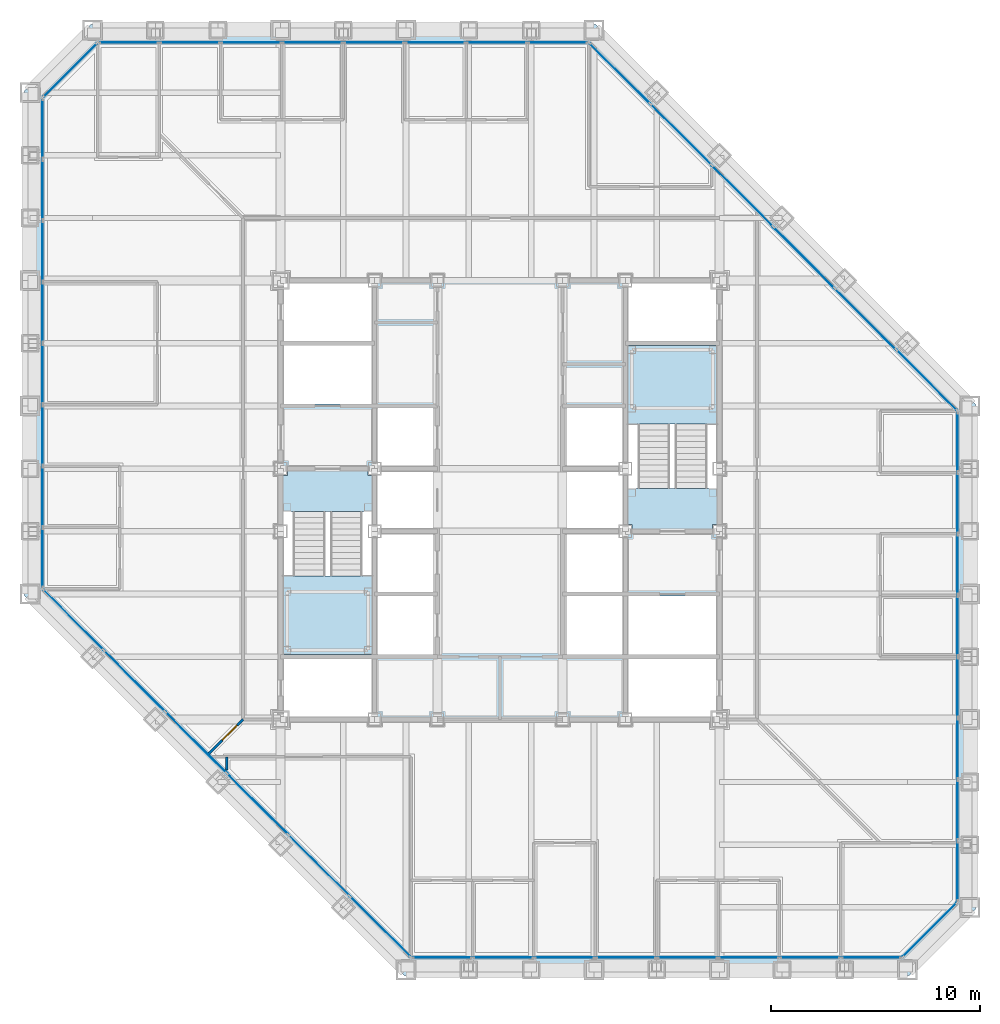
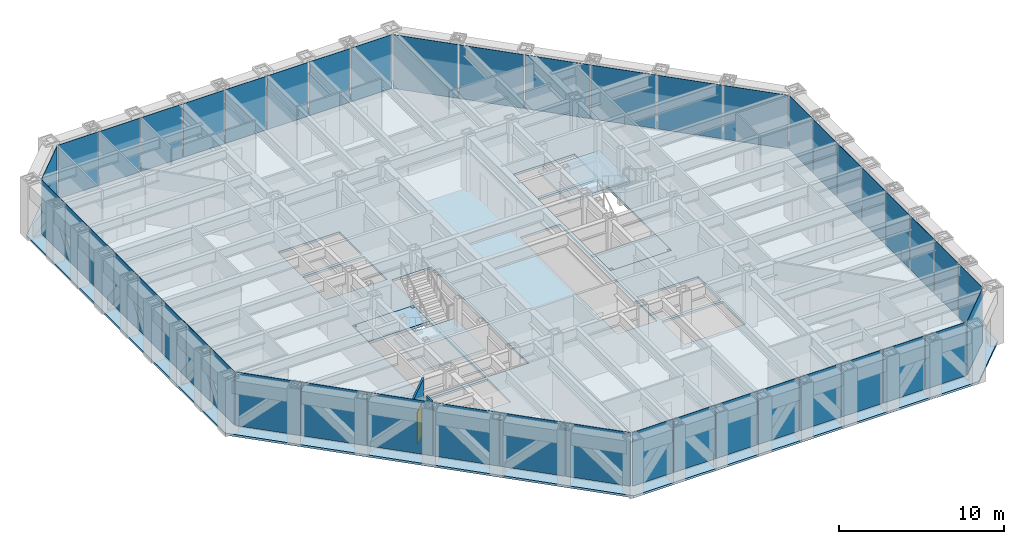
# One storey, part 9 of 17: 46 plates, 5 slabs, 2 walls, 1 door, 1 opening, 10 elements without a shape of their own.
"""IFC4 building model written with IfcOpenShell, lengths in metres."""

from ifc_helpers import new_model, si_unit, direction, frame, frame_2d, origin, origin_2d, place, context, subcontext, project, spatial, polyline, rectangle, outline, extrude, material, layer, layer_set, type_object, element, fill, aggregate, save


model = new_model("IFC4")

# Units and contexts
model_context = context("Model", 3, precision=1e-05, world=origin(), true_north=direction((0.0, 1.0)))
body_context = subcontext(model_context, "Body", "Model", "MODEL_VIEW")
ifc_project = project(units=[si_unit("LENGTHUNIT", "METRE"), si_unit("AREAUNIT", "SQUARE_METRE"), si_unit("VOLUMEUNIT", "CUBIC_METRE"), si_unit("PLANEANGLEUNIT", "RADIAN"), si_unit("MASSUNIT", "GRAM", prefix="KILO")], contexts=[model_context])

# Site, building, storey
site_placement = place(None, origin())
site = spatial("IfcSite", under=ifc_project, at=site_placement, CompositionType="ELEMENT")
building_placement = place(site_placement, origin())
building = spatial("IfcBuilding", under=site, at=building_placement, Name="Chuquiago Exchange Tower", CompositionType="ELEMENT")
storey_placement = place(building_placement, frame((0.0, 0.0, 169.800048828125)))
storey = spatial("IfcBuildingStorey", under=building, at=storey_placement, Name="L37", CompositionType="ELEMENT", Elevation=169.800048828125)

# Curtain wall, plate
ifc_material_1 = material(Name="Aluminium curtain wall system", Category="aluminium")
ifc_layer_1 = layer(ifc_material_1, 0.22509765625)
ifc_layer_set_1 = layer_set([ifc_layer_1], Name="CW2 office curtain wall")
curtain_wall_type_1 = type_object("IfcCurtainWallType", Name="CW2 office curtain wall", PredefinedType="NOTDEFINED", material=ifc_layer_set_1)
curtain_wall_1_placement = place(storey_placement, origin())
curtain_wall_1 = element("IfcCurtainWall", 1, at=curtain_wall_1_placement, inside=storey, type_object=curtain_wall_type_1, Name="CW2 curtain wall L37", PredefinedType="NOTDEFINED")
ifc_material_2 = material(Name="Glass, insulating unit", Category="glass")
ifc_layer_2 = layer(ifc_material_2, 0.030029296875)
ifc_layer_set_2 = layer_set([ifc_layer_2], Name="CW2-P panel 30")
plate_type_1 = type_object("IfcPlateType", Name="CW2-P panel 30", PredefinedType="CURTAIN_PANEL", material=ifc_layer_set_2)
plate_1_placement = place(storey_placement, frame((25.59326171875, 0.60009765625, 0.06494140625), z_axis=(0.0, 0.0, 1.0), x_axis=(1.0, 0.0, 0.0)))
plate_1 = element("IfcPlate", 2, at=plate_1_placement, type_object=plate_type_1, Name="CW2 panel 3.1", PredefinedType="CURTAIN_PANEL", context=body_context, shape_type="SweptSolid", body=[
    extrude(rectangle(XDim=2.872802734375, YDim=0.030029296875, at=origin_2d()), origin(), (0.0, 0.0, 1.0), 3.97509765625),
])

curtain_wall_2_placement = place(storey_placement, origin())
curtain_wall_2 = element("IfcCurtainWall", 3, at=curtain_wall_2_placement, inside=storey, type_object=curtain_wall_type_1, Name="CW2 curtain wall L37", PredefinedType="NOTDEFINED")
plate_2_placement = place(storey_placement, frame((44.39990234375, 19.40673828125, 0.06494140625), z_axis=(0.0, 0.0, 1.0), x_axis=(0.0, 1.0, 0.0)))
plate_2 = element("IfcPlate", 4, at=plate_2_placement, type_object=plate_type_1, Name="CW2 panel 6.1", PredefinedType="CURTAIN_PANEL", context=body_context, shape_type="SweptSolid", body=[
    extrude(rectangle(XDim=2.872802734375, YDim=0.030029296875, at=origin_2d()), origin(), (0.0, 0.0, 1.0), 3.97509765625),
])

curtain_wall_3_placement = place(storey_placement, origin())
curtain_wall_3 = element("IfcCurtainWall", 5, at=curtain_wall_3_placement, inside=storey, type_object=curtain_wall_type_1, Name="CW2 curtain wall L37", PredefinedType="NOTDEFINED")
plate_3_placement = place(storey_placement, frame((19.40673828125, 44.39990234375, 0.06494140625), z_axis=(0.0, 0.0, 1.0), x_axis=(-1.0, 0.0, 0.0)))
plate_3 = element("IfcPlate", 6, at=plate_3_placement, type_object=plate_type_1, Name="CW2 panel 3.1", PredefinedType="CURTAIN_PANEL", context=body_context, shape_type="SweptSolid", body=[
    extrude(rectangle(XDim=2.872802734375, YDim=0.030029296875, at=origin_2d()), origin(), (0.0, 0.0, 1.0), 3.97509765625),
])

curtain_wall_4_placement = place(storey_placement, origin())
curtain_wall_4 = element("IfcCurtainWall", 7, at=curtain_wall_4_placement, inside=storey, type_object=curtain_wall_type_1, Name="CW2 curtain wall L37", PredefinedType="NOTDEFINED")
plate_4_placement = place(storey_placement, frame((0.60009765625, 25.59326171875, 0.06494140625), z_axis=(0.0, 0.0, 1.0), x_axis=(0.0, -1.0, 0.0)))
plate_4 = element("IfcPlate", 8, at=plate_4_placement, type_object=plate_type_1, Name="CW2 panel 6.1", PredefinedType="CURTAIN_PANEL", context=body_context, shape_type="SweptSolid", body=[
    extrude(rectangle(XDim=2.872802734375, YDim=0.030029296875, at=origin_2d()), origin(), (0.0, 0.0, 1.0), 3.97509765625),
])

# Plate
ifc_material_3 = material(Name="Insulated spandrel panel, pale anodised aluminium", Category="aluminium")
ifc_layer_3 = layer(ifc_material_3, 0.030029296875)
ifc_layer_set_3 = layer_set([ifc_layer_3], Name="CW2-P spandrel panel 30")
plate_type_2 = type_object("IfcPlateType", Name="CW2-P spandrel panel 30", PredefinedType="CURTAIN_PANEL", material=ifc_layer_set_3)
plate_5_placement = place(storey_placement, frame((19.733642578125, 0.60009765625, 0.06494140625), z_axis=(0.0, 0.0, 1.0), x_axis=(1.0, 0.0, 0.0)))
plate_5 = element("IfcPlate", 9, at=plate_5_placement, type_object=plate_type_2, Name="CW2 panel 1.1", PredefinedType="CURTAIN_PANEL", context=body_context, shape_type="SweptSolid", body=[
    extrude(rectangle(XDim=2.84033203125, YDim=0.030029296875, at=origin_2d()), origin(), (0.0, 0.0, 1.0), 3.97509765625),
])

plate_6_placement = place(storey_placement, frame((22.6552734375, 0.60009765625, 0.06494140625), z_axis=(0.0, 0.0, 1.0), x_axis=(1.0, 0.0, 0.0)))
plate_6 = element("IfcPlate", 10, at=plate_6_placement, type_object=plate_type_2, Name="CW2 panel 2.1", PredefinedType="CURTAIN_PANEL", context=body_context, shape_type="SweptSolid", body=[
    extrude(rectangle(XDim=2.872802734375, YDim=0.030029296875, at=origin_2d()), origin(), (0.0, 0.0, 1.0), 3.97509765625),
])

plate_7_placement = place(storey_placement, frame((28.531005859375, 0.60009765625, 0.06494140625), z_axis=(0.0, 0.0, 1.0), x_axis=(1.0, 0.0, 0.0)))
plate_7 = element("IfcPlate", 11, at=plate_7_placement, type_object=plate_type_2, Name="CW2 panel 4.1", PredefinedType="CURTAIN_PANEL", context=body_context, shape_type="SweptSolid", body=[
    extrude(rectangle(XDim=2.872802734375, YDim=0.030029296875, at=origin_2d()), origin(), (0.0, 0.0, 1.0), 3.97509765625),
])

plate_8_placement = place(storey_placement, frame((31.468994140625, 0.60009765625, 0.06494140625), z_axis=(0.0, 0.0, 1.0), x_axis=(1.0, 0.0, 0.0)))
plate_8 = element("IfcPlate", 12, at=plate_8_placement, type_object=plate_type_2, Name="CW2 panel 5.1", PredefinedType="CURTAIN_PANEL", context=body_context, shape_type="SweptSolid", body=[
    extrude(rectangle(XDim=2.872802734375, YDim=0.030029296875, at=origin_2d()), origin(), (0.0, 0.0, 1.0), 3.97509765625),
])

plate_9_placement = place(storey_placement, frame((34.40673828125, 0.60009765625, 0.06494140625), z_axis=(0.0, 0.0, 1.0), x_axis=(1.0, 0.0, 0.0)))
plate_9 = element("IfcPlate", 13, at=plate_9_placement, type_object=plate_type_2, Name="CW2 panel 6.1", PredefinedType="CURTAIN_PANEL", context=body_context, shape_type="SweptSolid", body=[
    extrude(rectangle(XDim=2.872802734375, YDim=0.030029296875, at=origin_2d()), origin(), (0.0, 0.0, 1.0), 3.97509765625),
])

plate_10_placement = place(storey_placement, frame((37.3447265625, 0.60009765625, 0.06494140625), z_axis=(0.0, 0.0, 1.0), x_axis=(1.0, 0.0, 0.0)))
plate_10 = element("IfcPlate", 14, at=plate_10_placement, type_object=plate_type_2, Name="CW2 panel 7.1", PredefinedType="CURTAIN_PANEL", context=body_context, shape_type="SweptSolid", body=[
    extrude(rectangle(XDim=2.872802734375, YDim=0.030029296875, at=origin_2d()), origin(), (0.0, 0.0, 1.0), 3.97509765625),
])

plate_11_placement = place(storey_placement, frame((40.266357421875, 0.60009765625, 0.06494140625), z_axis=(0.0, 0.0, 1.0), x_axis=(1.0, 0.0, 0.0)))
plate_11 = element("IfcPlate", 15, at=plate_11_placement, type_object=plate_type_2, Name="CW2 panel 8.1", PredefinedType="CURTAIN_PANEL", context=body_context, shape_type="SweptSolid", body=[
    extrude(rectangle(XDim=2.84033203125, YDim=0.030029296875, at=origin_2d()), origin(), (0.0, 0.0, 1.0), 3.97509765625),
])

aggregate(curtain_wall_1, [plate_5, plate_6, plate_1, plate_7, plate_8, plate_9, plate_10, plate_11])

plate_12_placement = place(storey_placement, frame((44.39990234375, 4.733642578125, 0.06494140625), z_axis=(0.0, 0.0, 1.0), x_axis=(0.0, 1.0, 0.0)))
plate_12 = element("IfcPlate", 16, at=plate_12_placement, type_object=plate_type_2, Name="CW2 panel 1.1", PredefinedType="CURTAIN_PANEL", context=body_context, shape_type="SweptSolid", body=[
    extrude(rectangle(XDim=2.84033203125, YDim=0.030029296875, at=origin_2d()), origin(), (0.0, 0.0, 1.0), 3.97509765625),
])

plate_13_placement = place(storey_placement, frame((44.39990234375, 7.6552734375, 0.06494140625), z_axis=(0.0, 0.0, 1.0), x_axis=(0.0, 1.0, 0.0)))
plate_13 = element("IfcPlate", 17, at=plate_13_placement, type_object=plate_type_2, Name="CW2 panel 2.1", PredefinedType="CURTAIN_PANEL", context=body_context, shape_type="SweptSolid", body=[
    extrude(rectangle(XDim=2.872802734375, YDim=0.030029296875, at=origin_2d()), origin(), (0.0, 0.0, 1.0), 3.97509765625),
])

plate_14_placement = place(storey_placement, frame((44.39990234375, 10.59326171875, 0.06494140625), z_axis=(0.0, 0.0, 1.0), x_axis=(0.0, 1.0, 0.0)))
plate_14 = element("IfcPlate", 18, at=plate_14_placement, type_object=plate_type_2, Name="CW2 panel 3.1", PredefinedType="CURTAIN_PANEL", context=body_context, shape_type="SweptSolid", body=[
    extrude(rectangle(XDim=2.872802734375, YDim=0.030029296875, at=origin_2d()), origin(), (0.0, 0.0, 1.0), 3.97509765625),
])

plate_15_placement = place(storey_placement, frame((44.39990234375, 13.531005859375, 0.06494140625), z_axis=(0.0, 0.0, 1.0), x_axis=(0.0, 1.0, 0.0)))
plate_15 = element("IfcPlate", 19, at=plate_15_placement, type_object=plate_type_2, Name="CW2 panel 4.1", PredefinedType="CURTAIN_PANEL", context=body_context, shape_type="SweptSolid", body=[
    extrude(rectangle(XDim=2.872802734375, YDim=0.030029296875, at=origin_2d()), origin(), (0.0, 0.0, 1.0), 3.97509765625),
])

plate_16_placement = place(storey_placement, frame((44.39990234375, 16.468994140625, 0.06494140625), z_axis=(0.0, 0.0, 1.0), x_axis=(0.0, 1.0, 0.0)))
plate_16 = element("IfcPlate", 20, at=plate_16_placement, type_object=plate_type_2, Name="CW2 panel 5.1", PredefinedType="CURTAIN_PANEL", context=body_context, shape_type="SweptSolid", body=[
    extrude(rectangle(XDim=2.872802734375, YDim=0.030029296875, at=origin_2d()), origin(), (0.0, 0.0, 1.0), 3.97509765625),
])

plate_17_placement = place(storey_placement, frame((44.39990234375, 22.3447265625, 0.06494140625), z_axis=(0.0, 0.0, 1.0), x_axis=(0.0, 1.0, 0.0)))
plate_17 = element("IfcPlate", 21, at=plate_17_placement, type_object=plate_type_2, Name="CW2 panel 7.1", PredefinedType="CURTAIN_PANEL", context=body_context, shape_type="SweptSolid", body=[
    extrude(rectangle(XDim=2.872802734375, YDim=0.030029296875, at=origin_2d()), origin(), (0.0, 0.0, 1.0), 3.97509765625),
])

plate_18_placement = place(storey_placement, frame((44.39990234375, 25.266357421875, 0.06494140625), z_axis=(0.0, 0.0, 1.0), x_axis=(0.0, 1.0, 0.0)))
plate_18 = element("IfcPlate", 22, at=plate_18_placement, type_object=plate_type_2, Name="CW2 panel 8.1", PredefinedType="CURTAIN_PANEL", context=body_context, shape_type="SweptSolid", body=[
    extrude(rectangle(XDim=2.84033203125, YDim=0.030029296875, at=origin_2d()), origin(), (0.0, 0.0, 1.0), 3.97509765625),
])

aggregate(curtain_wall_2, [plate_12, plate_13, plate_14, plate_15, plate_16, plate_2, plate_17, plate_18])

plate_19_placement = place(storey_placement, frame((25.266357421875, 44.39990234375, 0.06494140625), z_axis=(0.0, 0.0, 1.0), x_axis=(-1.0, 0.0, 0.0)))
plate_19 = element("IfcPlate", 23, at=plate_19_placement, type_object=plate_type_2, Name="CW2 panel 1.1", PredefinedType="CURTAIN_PANEL", context=body_context, shape_type="SweptSolid", body=[
    extrude(rectangle(XDim=2.84033203125, YDim=0.030029296875, at=origin_2d()), origin(), (0.0, 0.0, 1.0), 3.97509765625),
])

plate_20_placement = place(storey_placement, frame((22.3447265625, 44.39990234375, 0.06494140625), z_axis=(0.0, 0.0, 1.0), x_axis=(-1.0, 0.0, 0.0)))
plate_20 = element("IfcPlate", 24, at=plate_20_placement, type_object=plate_type_2, Name="CW2 panel 2.1", PredefinedType="CURTAIN_PANEL", context=body_context, shape_type="SweptSolid", body=[
    extrude(rectangle(XDim=2.872802734375, YDim=0.030029296875, at=origin_2d()), origin(), (0.0, 0.0, 1.0), 3.97509765625),
])

plate_21_placement = place(storey_placement, frame((16.468994140625, 44.39990234375, 0.06494140625), z_axis=(0.0, 0.0, 1.0), x_axis=(-1.0, 0.0, 0.0)))
plate_21 = element("IfcPlate", 25, at=plate_21_placement, type_object=plate_type_2, Name="CW2 panel 4.1", PredefinedType="CURTAIN_PANEL", context=body_context, shape_type="SweptSolid", body=[
    extrude(rectangle(XDim=2.872802734375, YDim=0.030029296875, at=origin_2d()), origin(), (0.0, 0.0, 1.0), 3.97509765625),
])

plate_22_placement = place(storey_placement, frame((13.531005859375, 44.39990234375, 0.06494140625), z_axis=(0.0, 0.0, 1.0), x_axis=(-1.0, 0.0, 0.0)))
plate_22 = element("IfcPlate", 26, at=plate_22_placement, type_object=plate_type_2, Name="CW2 panel 5.1", PredefinedType="CURTAIN_PANEL", context=body_context, shape_type="SweptSolid", body=[
    extrude(rectangle(XDim=2.872802734375, YDim=0.030029296875, at=origin_2d()), origin(), (0.0, 0.0, 1.0), 3.97509765625),
])

plate_23_placement = place(storey_placement, frame((10.59326171875, 44.39990234375, 0.06494140625), z_axis=(0.0, 0.0, 1.0), x_axis=(-1.0, 0.0, 0.0)))
plate_23 = element("IfcPlate", 27, at=plate_23_placement, type_object=plate_type_2, Name="CW2 panel 6.1", PredefinedType="CURTAIN_PANEL", context=body_context, shape_type="SweptSolid", body=[
    extrude(rectangle(XDim=2.872802734375, YDim=0.030029296875, at=origin_2d()), origin(), (0.0, 0.0, 1.0), 3.97509765625),
])

plate_24_placement = place(storey_placement, frame((7.6552734375, 44.39990234375, 0.06494140625), z_axis=(0.0, 0.0, 1.0), x_axis=(-1.0, 0.0, 0.0)))
plate_24 = element("IfcPlate", 28, at=plate_24_placement, type_object=plate_type_2, Name="CW2 panel 7.1", PredefinedType="CURTAIN_PANEL", context=body_context, shape_type="SweptSolid", body=[
    extrude(rectangle(XDim=2.872802734375, YDim=0.030029296875, at=origin_2d()), origin(), (0.0, 0.0, 1.0), 3.97509765625),
])

plate_25_placement = place(storey_placement, frame((4.733642578125, 44.39990234375, 0.06494140625), z_axis=(0.0, 0.0, 1.0), x_axis=(-1.0, 0.0, 0.0)))
plate_25 = element("IfcPlate", 29, at=plate_25_placement, type_object=plate_type_2, Name="CW2 panel 8.1", PredefinedType="CURTAIN_PANEL", context=body_context, shape_type="SweptSolid", body=[
    extrude(rectangle(XDim=2.84033203125, YDim=0.030029296875, at=origin_2d()), origin(), (0.0, 0.0, 1.0), 3.97509765625),
])

aggregate(curtain_wall_3, [plate_19, plate_20, plate_3, plate_21, plate_22, plate_23, plate_24, plate_25])

plate_26_placement = place(storey_placement, frame((0.60009765625, 40.266357421875, 0.06494140625), z_axis=(0.0, 0.0, 1.0), x_axis=(0.0, -1.0, 0.0)))
plate_26 = element("IfcPlate", 30, at=plate_26_placement, type_object=plate_type_2, Name="CW2 panel 1.1", PredefinedType="CURTAIN_PANEL", context=body_context, shape_type="SweptSolid", body=[
    extrude(rectangle(XDim=2.84033203125, YDim=0.030029296875, at=origin_2d()), origin(), (0.0, 0.0, 1.0), 3.97509765625),
])

plate_27_placement = place(storey_placement, frame((0.60009765625, 37.3447265625, 0.06494140625), z_axis=(0.0, 0.0, 1.0), x_axis=(0.0, -1.0, 0.0)))
plate_27 = element("IfcPlate", 31, at=plate_27_placement, type_object=plate_type_2, Name="CW2 panel 2.1", PredefinedType="CURTAIN_PANEL", context=body_context, shape_type="SweptSolid", body=[
    extrude(rectangle(XDim=2.872802734375, YDim=0.030029296875, at=origin_2d()), origin(), (0.0, 0.0, 1.0), 3.97509765625),
])

plate_28_placement = place(storey_placement, frame((0.60009765625, 34.40673828125, 0.06494140625), z_axis=(0.0, 0.0, 1.0), x_axis=(0.0, -1.0, 0.0)))
plate_28 = element("IfcPlate", 32, at=plate_28_placement, type_object=plate_type_2, Name="CW2 panel 3.1", PredefinedType="CURTAIN_PANEL", context=body_context, shape_type="SweptSolid", body=[
    extrude(rectangle(XDim=2.872802734375, YDim=0.030029296875, at=origin_2d()), origin(), (0.0, 0.0, 1.0), 3.97509765625),
])

plate_29_placement = place(storey_placement, frame((0.60009765625, 31.468994140625, 0.06494140625), z_axis=(0.0, 0.0, 1.0), x_axis=(0.0, -1.0, 0.0)))
plate_29 = element("IfcPlate", 33, at=plate_29_placement, type_object=plate_type_2, Name="CW2 panel 4.1", PredefinedType="CURTAIN_PANEL", context=body_context, shape_type="SweptSolid", body=[
    extrude(rectangle(XDim=2.872802734375, YDim=0.030029296875, at=origin_2d()), origin(), (0.0, 0.0, 1.0), 3.97509765625),
])

plate_30_placement = place(storey_placement, frame((0.60009765625, 28.531005859375, 0.06494140625), z_axis=(0.0, 0.0, 1.0), x_axis=(0.0, -1.0, 0.0)))
plate_30 = element("IfcPlate", 34, at=plate_30_placement, type_object=plate_type_2, Name="CW2 panel 5.1", PredefinedType="CURTAIN_PANEL", context=body_context, shape_type="SweptSolid", body=[
    extrude(rectangle(XDim=2.872802734375, YDim=0.030029296875, at=origin_2d()), origin(), (0.0, 0.0, 1.0), 3.97509765625),
])

plate_31_placement = place(storey_placement, frame((0.60009765625, 22.6552734375, 0.06494140625), z_axis=(0.0, 0.0, 1.0), x_axis=(0.0, -1.0, 0.0)))
plate_31 = element("IfcPlate", 35, at=plate_31_placement, type_object=plate_type_2, Name="CW2 panel 7.1", PredefinedType="CURTAIN_PANEL", context=body_context, shape_type="SweptSolid", body=[
    extrude(rectangle(XDim=2.872802734375, YDim=0.030029296875, at=origin_2d()), origin(), (0.0, 0.0, 1.0), 3.97509765625),
])

plate_32_placement = place(storey_placement, frame((0.60009765625, 19.733642578125, 0.06494140625), z_axis=(0.0, 0.0, 1.0), x_axis=(0.0, -1.0, 0.0)))
plate_32 = element("IfcPlate", 36, at=plate_32_placement, type_object=plate_type_2, Name="CW2 panel 8.1", PredefinedType="CURTAIN_PANEL", context=body_context, shape_type="SweptSolid", body=[
    extrude(rectangle(XDim=2.84033203125, YDim=0.030029296875, at=origin_2d()), origin(), (0.0, 0.0, 1.0), 3.97509765625),
])

aggregate(curtain_wall_4, [plate_26, plate_27, plate_28, plate_29, plate_30, plate_4, plate_31, plate_32])

# Curtain wall, plate
ifc_material_4 = material(Name="Aluminium curtain wall system", Category="aluminium")
ifc_layer_4 = layer(ifc_material_4, 0.199951171875)
ifc_layer_set_4 = layer_set([ifc_layer_4], Name="CW3 facet curtain wall")
curtain_wall_type_2 = type_object("IfcCurtainWallType", Name="CW3 facet curtain wall", PredefinedType="NOTDEFINED", material=ifc_layer_set_4)
curtain_wall_5_placement = place(storey_placement, origin())
curtain_wall_5 = element("IfcCurtainWall", 37, at=curtain_wall_5_placement, inside=storey, type_object=curtain_wall_type_2, Name="CW3 curtain wall L37", PredefinedType="NOTDEFINED")
ifc_material_5 = material(Name="Insulated spandrel panel, pale anodised aluminium", Category="aluminium")
ifc_layer_5 = layer(ifc_material_5, 0.030029296875)
ifc_layer_set_5 = layer_set([ifc_layer_5], Name="CW3-P spandrel panel 30")
plate_type_3 = type_object("IfcPlateType", Name="CW3-P spandrel panel 30", PredefinedType="CURTAIN_PANEL", material=ifc_layer_set_5)
plate_33_placement = place(storey_placement, frame((43.07568359375, 1.92431640625, 0.06494140625), z_axis=(0.0, 0.0, 1.0), x_axis=(0.707106781187, 0.707106781187, 0.0)))
plate_33 = element("IfcPlate", 38, at=plate_33_placement, type_object=plate_type_3, Name="CW3 panel 1.1", PredefinedType="CURTAIN_PANEL", context=body_context, shape_type="SweptSolid", body=[
    extrude(rectangle(XDim=3.615478515625, YDim=0.030029296875, at=origin_2d()), origin(), (0.0, 0.0, 1.0), 3.97509765625),
])
aggregate(curtain_wall_5, [plate_33])

# Curtain wall, plates
curtain_wall_6_placement = place(storey_placement, origin())
curtain_wall_6 = element("IfcCurtainWall", 39, at=curtain_wall_6_placement, inside=storey, type_object=curtain_wall_type_2, Name="CW3 curtain wall L37", PredefinedType="NOTDEFINED")
plate_34_placement = place(storey_placement, frame((42.917724609375, 28.233642578125, 0.06494140625), z_axis=(0.0, 0.0, 1.0), x_axis=(-0.707106781187, 0.707106781187, 0.0)))
plate_34 = element("IfcPlate", 40, at=plate_34_placement, type_object=plate_type_3, Name="CW3 panel 1.1", PredefinedType="CURTAIN_PANEL", context=body_context, shape_type="SweptSolid", body=[
    extrude(rectangle(XDim=4.062255859375, YDim=0.030029296875, at=origin_2d()), origin(), (0.0, 0.0, 1.0), 3.97509765625),
])
plate_35_placement = place(storey_placement, frame((39.98779296875, 31.16357421875, 0.06494140625), z_axis=(0.0, 0.0, 1.0), x_axis=(-0.707106781187, 0.707106781187, 0.0)))
plate_35 = element("IfcPlate", 41, at=plate_35_placement, type_object=plate_type_3, Name="CW3 panel 2.1", PredefinedType="CURTAIN_PANEL", context=body_context, shape_type="SweptSolid", body=[
    extrude(rectangle(XDim=4.0947265625, YDim=0.030029296875, at=origin_2d()), origin(), (0.0, 0.0, 1.0), 3.97509765625),
])
plate_36_placement = place(storey_placement, frame((37.04638671875, 34.10498046875, 0.06494140625), z_axis=(0.0, 0.0, 1.0), x_axis=(-0.707106781187, 0.707106781187, 0.0)))
plate_36 = element("IfcPlate", 42, at=plate_36_placement, type_object=plate_type_3, Name="CW3 panel 3.1", PredefinedType="CURTAIN_PANEL", context=body_context, shape_type="SweptSolid", body=[
    extrude(rectangle(XDim=4.0947265625, YDim=0.030029296875, at=origin_2d()), origin(), (0.0, 0.0, 1.0), 3.97509765625),
])
plate_37_placement = place(storey_placement, frame((34.10498046875, 37.04638671875, 0.06494140625), z_axis=(0.0, 0.0, 1.0), x_axis=(-0.707106781187, 0.707106781187, 0.0)))
plate_37 = element("IfcPlate", 43, at=plate_37_placement, type_object=plate_type_3, Name="CW3 panel 4.1", PredefinedType="CURTAIN_PANEL", context=body_context, shape_type="SweptSolid", body=[
    extrude(rectangle(XDim=4.0947265625, YDim=0.030029296875, at=origin_2d()), origin(), (0.0, 0.0, 1.0), 3.97509765625),
])
plate_38_placement = place(storey_placement, frame((31.16357421875, 39.98779296875, 0.06494140625), z_axis=(0.0, 0.0, 1.0), x_axis=(-0.707106781187, 0.707106781187, 0.0)))
plate_38 = element("IfcPlate", 44, at=plate_38_placement, type_object=plate_type_3, Name="CW3 panel 5.1", PredefinedType="CURTAIN_PANEL", context=body_context, shape_type="SweptSolid", body=[
    extrude(rectangle(XDim=4.0947265625, YDim=0.030029296875, at=origin_2d()), origin(), (0.0, 0.0, 1.0), 3.97509765625),
])
plate_39_placement = place(storey_placement, frame((28.233642578125, 42.917724609375, 0.06494140625), z_axis=(0.0, 0.0, 1.0), x_axis=(-0.707106781187, 0.707106781187, 0.0)))
plate_39 = element("IfcPlate", 45, at=plate_39_placement, type_object=plate_type_3, Name="CW3 panel 6.1", PredefinedType="CURTAIN_PANEL", context=body_context, shape_type="SweptSolid", body=[
    extrude(rectangle(XDim=4.062255859375, YDim=0.030029296875, at=origin_2d()), origin(), (0.0, 0.0, 1.0), 3.97509765625),
])
aggregate(curtain_wall_6, [plate_34, plate_35, plate_36, plate_37, plate_38, plate_39])

# Curtain wall, plate
curtain_wall_7_placement = place(storey_placement, origin())
curtain_wall_7 = element("IfcCurtainWall", 46, at=curtain_wall_7_placement, inside=storey, type_object=curtain_wall_type_2, Name="CW3 curtain wall L37", PredefinedType="NOTDEFINED")
plate_40_placement = place(storey_placement, frame((1.92431640625, 43.07568359375, 0.06494140625), z_axis=(0.0, 0.0, 1.0), x_axis=(-0.707106781187, -0.707106781187, 0.0)))
plate_40 = element("IfcPlate", 47, at=plate_40_placement, type_object=plate_type_3, Name="CW3 panel 1.1", PredefinedType="CURTAIN_PANEL", context=body_context, shape_type="SweptSolid", body=[
    extrude(rectangle(XDim=3.615478515625, YDim=0.030029296875, at=origin_2d()), origin(), (0.0, 0.0, 1.0), 3.97509765625),
])
aggregate(curtain_wall_7, [plate_40])

# Curtain wall, plates
curtain_wall_8_placement = place(storey_placement, origin())
curtain_wall_8 = element("IfcCurtainWall", 48, at=curtain_wall_8_placement, inside=storey, type_object=curtain_wall_type_2, Name="CW3 curtain wall L37", PredefinedType="NOTDEFINED")
plate_41_placement = place(storey_placement, frame((2.082275390625, 16.766357421875, 0.06494140625), z_axis=(0.0, 0.0, 1.0), x_axis=(0.707106781187, -0.707106781187, 0.0)))
plate_41 = element("IfcPlate", 49, at=plate_41_placement, type_object=plate_type_3, Name="CW3 panel 1.1", PredefinedType="CURTAIN_PANEL", context=body_context, shape_type="SweptSolid", body=[
    extrude(rectangle(XDim=4.062255859375, YDim=0.030029296875, at=origin_2d()), origin(), (0.0, 0.0, 1.0), 3.97509765625),
])
plate_42_placement = place(storey_placement, frame((5.01220703125, 13.83642578125, 0.06494140625), z_axis=(0.0, 0.0, 1.0), x_axis=(0.707106781187, -0.707106781187, 0.0)))
plate_42 = element("IfcPlate", 50, at=plate_42_placement, type_object=plate_type_3, Name="CW3 panel 2.1", PredefinedType="CURTAIN_PANEL", context=body_context, shape_type="SweptSolid", body=[
    extrude(rectangle(XDim=4.0947265625, YDim=0.030029296875, at=origin_2d()), origin(), (0.0, 0.0, 1.0), 3.97509765625),
])
plate_43_placement = place(storey_placement, frame((7.95361328125, 10.89501953125, 0.06494140625), z_axis=(0.0, 0.0, 1.0), x_axis=(0.707106781187, -0.707106781187, 0.0)))
plate_43 = element("IfcPlate", 51, at=plate_43_placement, type_object=plate_type_3, Name="CW3 panel 3.1", PredefinedType="CURTAIN_PANEL", context=body_context, shape_type="SweptSolid", body=[
    extrude(rectangle(XDim=4.0947265625, YDim=0.030029296875, at=origin_2d()), origin(), (0.0, 0.0, 1.0), 3.97509765625),
])
plate_44_placement = place(storey_placement, frame((10.89501953125, 7.95361328125, 0.06494140625), z_axis=(0.0, 0.0, 1.0), x_axis=(0.707106781187, -0.707106781187, 0.0)))
plate_44 = element("IfcPlate", 52, at=plate_44_placement, type_object=plate_type_3, Name="CW3 panel 4.1", PredefinedType="CURTAIN_PANEL", context=body_context, shape_type="SweptSolid", body=[
    extrude(rectangle(XDim=4.0947265625, YDim=0.030029296875, at=origin_2d()), origin(), (0.0, 0.0, 1.0), 3.97509765625),
])
plate_45_placement = place(storey_placement, frame((13.83642578125, 5.01220703125, 0.06494140625), z_axis=(0.0, 0.0, 1.0), x_axis=(0.707106781187, -0.707106781187, 0.0)))
plate_45 = element("IfcPlate", 53, at=plate_45_placement, type_object=plate_type_3, Name="CW3 panel 5.1", PredefinedType="CURTAIN_PANEL", context=body_context, shape_type="SweptSolid", body=[
    extrude(rectangle(XDim=4.0947265625, YDim=0.030029296875, at=origin_2d()), origin(), (0.0, 0.0, 1.0), 3.97509765625),
])
plate_46_placement = place(storey_placement, frame((16.766357421875, 2.082275390625, 0.06494140625), z_axis=(0.0, 0.0, 1.0), x_axis=(0.707106781187, -0.707106781187, 0.0)))
plate_46 = element("IfcPlate", 54, at=plate_46_placement, type_object=plate_type_3, Name="CW3 panel 6.1", PredefinedType="CURTAIN_PANEL", context=body_context, shape_type="SweptSolid", body=[
    extrude(rectangle(XDim=4.062255859375, YDim=0.030029296875, at=origin_2d()), origin(), (0.0, 0.0, 1.0), 3.97509765625),
])
aggregate(curtain_wall_8, [plate_41, plate_42, plate_43, plate_44, plate_45, plate_46])

# Slab
ifc_material_6 = material(Name="Concrete C30/37", Category="concrete")
ifc_layer_6 = layer(ifc_material_6, 0.159912109375)
ifc_layer_set_6 = layer_set([ifc_layer_6], Name="FS1 composite floor 160")
slab_type_1 = type_object("IfcSlabType", Name="FS1 composite floor 160", PredefinedType="FLOOR", material=ifc_layer_set_6)
slab_1_placement = place(storey_placement, frame((0.0, 0.0, -0.16015625)))
element("IfcSlab", 55, at=slab_1_placement, inside=storey, type_object=slab_type_1, Name="L37 floor slab", PredefinedType="FLOOR", context=body_context, shape_type="SweptSolid", body=[
    extrude(outline(polyline([(17.896484375, -0.25), (-0.25, 17.896484375), (-0.25, 42.103515625), (2.896484375, 45.25), (27.103515625, 45.25), (45.25, 27.103515625), (45.25, 2.896484375), (42.103515625, -0.25), (17.896484375, -0.25)]), holes=[polyline([(16.39990234375, 15.10009765625), (12.10009765625, 15.10009765625), (12.10009765625, 23.89990234375), (16.39990234375, 23.89990234375), (16.39990234375, 15.10009765625)]), polyline([(32.89990234375, 21.10009765625), (28.60009765625, 21.10009765625), (28.60009765625, 29.89990234375), (32.89990234375, 29.89990234375), (32.89990234375, 21.10009765625)]), polyline([(16.39990234375, 12.10009765625), (12.10009765625, 12.10009765625), (12.10009765625, 14.89990234375), (16.39990234375, 14.89990234375), (16.39990234375, 12.10009765625)]), polyline([(16.39990234375, 30.10009765625), (12.10009765625, 30.10009765625), (12.10009765625, 32.89990234375), (16.39990234375, 32.89990234375), (16.39990234375, 30.10009765625)]), polyline([(32.89990234375, 12.10009765625), (28.60009765625, 12.10009765625), (28.60009765625, 14.89990234375), (32.89990234375, 14.89990234375), (32.89990234375, 12.10009765625)]), polyline([(32.89990234375, 30.10009765625), (28.60009765625, 30.10009765625), (28.60009765625, 32.89990234375), (32.89990234375, 32.89990234375), (32.89990234375, 30.10009765625)]), polyline([(16.39990234375, 27.10009765625), (12.10009765625, 27.10009765625), (12.10009765625, 29.89990234375), (16.39990234375, 29.89990234375), (16.39990234375, 27.10009765625)]), polyline([(32.89990234375, 15.10009765625), (28.60009765625, 15.10009765625), (28.60009765625, 17.89990234375), (32.89990234375, 17.89990234375), (32.89990234375, 15.10009765625)]), polyline([(19.39990234375, 15.10009765625), (16.60009765625, 15.10009765625), (16.60009765625, 26.89990234375), (19.39990234375, 26.89990234375), (19.39990234375, 15.10009765625)]), polyline([(28.39990234375, 15.10009765625), (25.60009765625, 15.10009765625), (25.60009765625, 26.89990234375), (28.39990234375, 26.89990234375), (28.39990234375, 15.10009765625)])]), origin(), (0.0, 0.0, 1.0), 0.16015625),
])

# Stair, slabs
ifc_material_7 = material(Name="Concrete C30/37, precast", Category="concrete")
stair_type_1 = type_object("IfcStairType", Name="ST1 half-turn stair 4200", PredefinedType="HALF_TURN_STAIR", material=ifc_material_7)
stair_1_placement = place(storey_placement, origin())
stair_1 = element("IfcStair", 56, at=stair_1_placement, inside=storey, type_object=stair_type_1, Name="Stair ST1 L37", PredefinedType="HALF_TURN_STAIR")
ifc_material_8 = material(Name="Concrete C30/37, precast", Category="concrete")
ifc_layer_7 = layer(ifc_material_8, 0.199951171875)
ifc_layer_set_7 = layer_set([ifc_layer_7], Name="ST-L landing 200")
slab_type_2 = type_object("IfcSlabType", Name="ST-L landing 200", PredefinedType="LANDING", material=ifc_layer_set_7)
slab_2_placement = place(storey_placement, frame((0.0, 0.0, -0.199951171875)))
slab_2 = element("IfcSlab", 57, at=slab_2_placement, type_object=slab_type_2, Name="ST1 landing 1", PredefinedType="LANDING", context=body_context, shape_type="SweptSolid", body=[
    extrude(outline(polyline([(12.324951171875, 23.89990234375), (16.175048828125, 23.89990234375), (16.175048828125, 23.675048828125), (16.39990234375, 23.675048828125), (16.39990234375, 21.949951171875), (12.10009765625, 21.949951171875), (12.10009765625, 23.675048828125), (12.324951171875, 23.675048828125), (12.324951171875, 23.89990234375)])), origin(), (0.0, 0.0, 1.0), 0.199951171875),
])
slab_3_placement = place(storey_placement, frame((0.0, 0.0, 1.89990234375)))
slab_3 = element("IfcSlab", 58, at=slab_3_placement, type_object=slab_type_2, Name="ST1 landing 2", PredefinedType="LANDING", context=body_context, shape_type="SweptSolid", body=[
    extrude(outline(polyline([(12.10009765625, 18.8701171875), (16.39990234375, 18.8701171875), (16.39990234375, 15.10009765625), (12.10009765625, 15.10009765625), (12.10009765625, 18.8701171875)])), origin(), (0.0, 0.0, 1.0), 0.199951171875),
])
aggregate(stair_1, [slab_2, slab_3])

ifc_material_9 = material(Name="Concrete C30/37, precast", Category="concrete")
stair_type_2 = type_object("IfcStairType", Name="ST2 half-turn stair 4200", PredefinedType="HALF_TURN_STAIR", material=ifc_material_9)
stair_2_placement = place(storey_placement, origin())
stair_2 = element("IfcStair", 59, at=stair_2_placement, inside=storey, type_object=stair_type_2, Name="Stair ST2 L37", PredefinedType="HALF_TURN_STAIR")
slab_4_placement = place(storey_placement, frame((0.0, 0.0, -0.199951171875)))
slab_4 = element("IfcSlab", 60, at=slab_4_placement, type_object=slab_type_2, Name="ST2 landing 1", PredefinedType="LANDING", context=body_context, shape_type="SweptSolid", body=[
    extrude(outline(polyline([(32.675048828125, 21.324951171875), (32.675048828125, 21.10009765625), (28.824951171875, 21.10009765625), (28.824951171875, 21.324951171875), (28.60009765625, 21.324951171875), (28.60009765625, 23.050048828125), (32.89990234375, 23.050048828125), (32.89990234375, 21.324951171875), (32.675048828125, 21.324951171875)])), origin(), (0.0, 0.0, 1.0), 0.199951171875),
])
slab_5_placement = place(storey_placement, frame((0.0, 0.0, 1.89990234375)))
slab_5 = element("IfcSlab", 61, at=slab_5_placement, type_object=slab_type_2, Name="ST2 landing 2", PredefinedType="LANDING", context=body_context, shape_type="SweptSolid", body=[
    extrude(outline(polyline([(28.60009765625, 29.89990234375), (32.89990234375, 29.89990234375), (32.89990234375, 26.1298828125), (28.60009765625, 26.1298828125), (28.60009765625, 29.89990234375)])), origin(), (0.0, 0.0, 1.0), 0.199951171875),
])
aggregate(stair_2, [slab_4, slab_5])

# Wall
ifc_material_10 = material(Name="Gypsum board on steel studs", Category="steel")
ifc_layer_8 = layer(ifc_material_10, 0.1201171875)
ifc_layer_set_8 = layer_set([ifc_layer_8], Name="W4 partition 120")
wall_type = type_object("IfcWallType", Name="W4 partition 120", PredefinedType="PARTITIONING", material=ifc_layer_set_8)
wall_1_placement = place(storey_placement, frame((9.42431640625, 9.565673828125, 0.0), z_axis=(0.0, 0.0, 1.0), x_axis=(0.0, 1.0, 0.0)))
element("IfcWall", 62, at=wall_1_placement, inside=storey, type_object=wall_type, Name="PW-L37-S00942", PredefinedType="PARTITIONING", context=body_context, shape_type="SweptSolid", body=[
    extrude(rectangle(XDim=0.63427734375, YDim=0.1201171875, at=frame_2d((0.317138671875, 0.0))), origin(), (0.0, 0.0, 1.0), 4.0400390625),
])

# Wall, opening, door
wall_2_placement = place(storey_placement, frame((10.199951171875, 12.0, 0.0), z_axis=(0.0, 0.0, 1.0), x_axis=(-0.707106781187, -0.707106781187, 0.0)))
wall_2 = element("IfcWall", 63, at=wall_2_placement, inside=storey, type_object=wall_type, Name="PW-L37-QSW", PredefinedType="PARTITIONING", context=body_context, shape_type="SweptSolid", body=[
    extrude(rectangle(XDim=2.337890625, YDim=0.1201171875, at=frame_2d((1.1689453125, 0.0))), origin(), (0.0, 0.0, 1.0), 4.0400390625),
])
opening_placement = place(wall_2_placement, frame((0.39990234375, 0.0, 0.0)))
opening = element("IfcOpeningElement", 64, at=opening_placement, cuts=wall_2, Name="Opening L37-044", PredefinedType="OPENING", context=body_context, shape_type="SweptSolid", body=[
    extrude(rectangle(XDim=1.0, YDim=2.39990234375, at=frame_2d((0.5, 1.199951171875))), frame((0.0, 0.070068359375, 0.0), z_axis=(0.0, -1.0, 0.0), x_axis=(1.0, 0.0, 0.0)), (0.0, 0.0, 1.0), 0.14013671875),
])
ifc_material_11 = material(Name="Timber door, laminate faced", Category="wood")
door_type = type_object("IfcDoorType", Name="D9 room door 1000x2400", OperationType="SINGLE_SWING_LEFT", PredefinedType="DOOR", material=ifc_material_11)
door_placement = place(opening_placement, origin())
door = element("IfcDoor", 65, at=door_placement, inside=storey, type_object=door_type, Name="Team area door", OperationType="SINGLE_SWING_LEFT", OverallHeight=2.39990234375, OverallWidth=1.0, PredefinedType="DOOR", context=body_context, shape_type="SweptSolid", body=[
    extrude(rectangle(XDim=1.0, YDim=2.39990234375, at=frame_2d((0.5, 1.199951171875))), frame((0.0, 0.02490234375, 0.0), z_axis=(0.0, -1.0, 0.0), x_axis=(1.0, 0.0, 0.0)), (0.0, 0.0, 1.0), 0.050048828125),
])
fill(opening, door)

save(model, "model.ifc")
